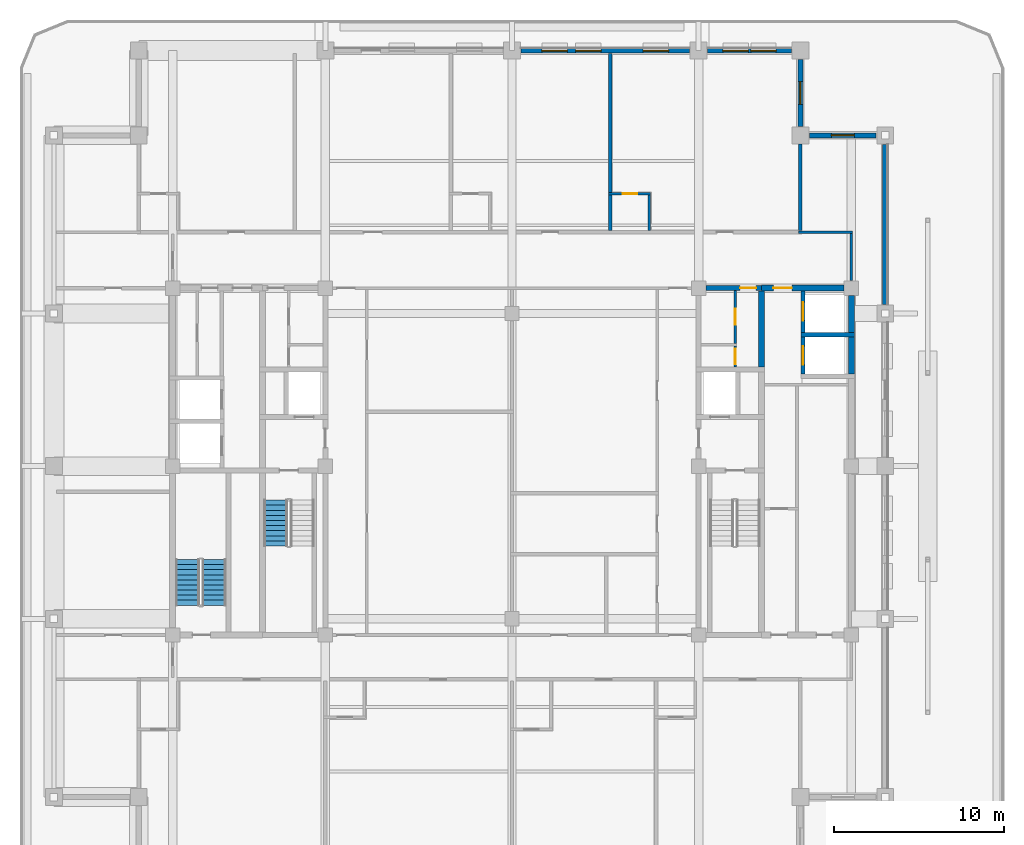
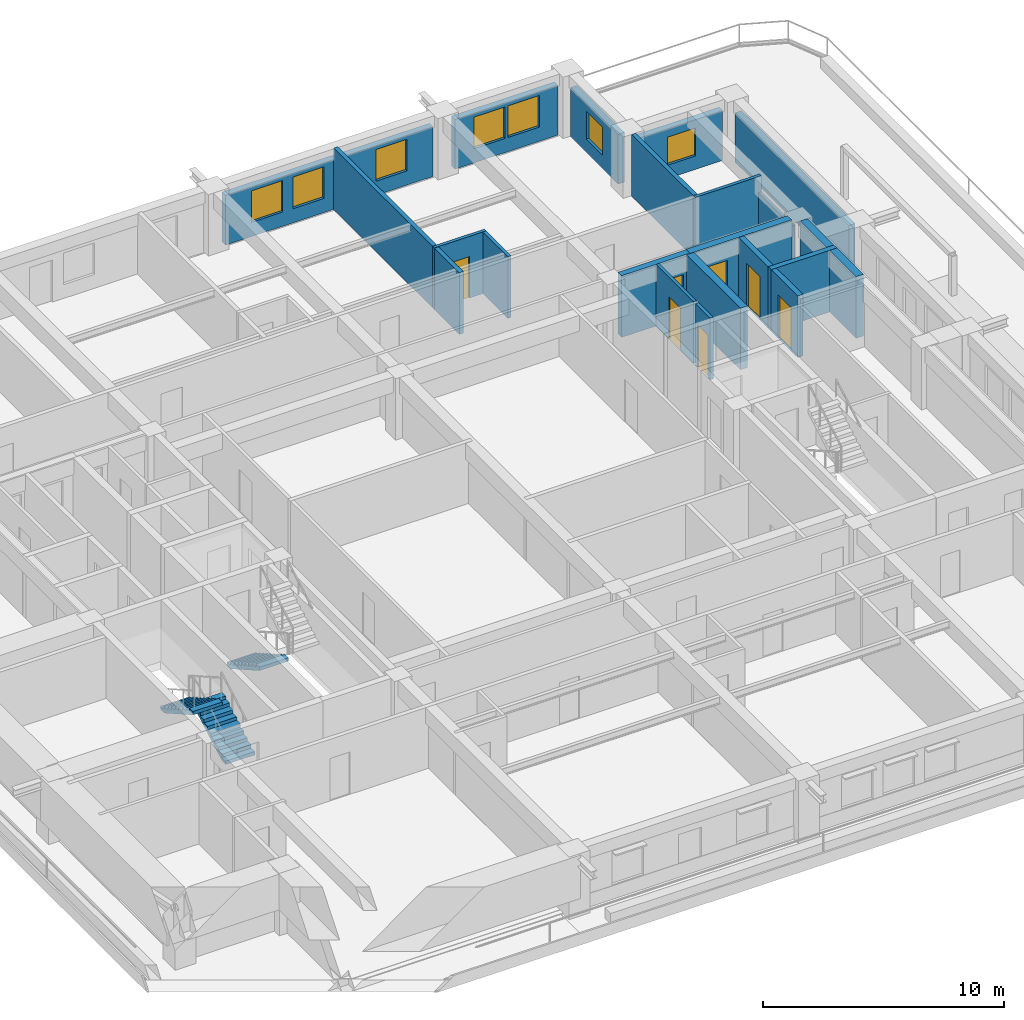
# One storey, part 10 of 18: 22 walls, 7 doors, 7 windows, 3 stair flights, 14 openings, 2 elements without a shape of their own.
"""IFC4 building model written with IfcOpenShell, lengths in metres."""

import ifcopenshell
import ifcopenshell.guid

model = None  # the IFC model being written
_history = None  # IfcOwnerHistory: only IFC2X3 demands one
_inside = {}  # id of a spatial element -> (the spatial element, [elements in it])
_under = {}  # id of a project, library or spatial element -> (it, [spatial elements below it])
_declared = {}  # id of a project -> (the project, [libraries it declares])
_typed = {}  # id of a type object -> (the type object, [elements of that type])
_made_of = {}  # id of a material, layer set ... -> (it, [elements and type objects made of it])


def new_model(schema):
    """Start an empty IFC model of exactly this schema.

    Asked for "IFC4X3", IfcOpenShell would pick the latest addendum, in which some entities
    have other attributes; the version numbers below select the first issue.
    IFC2X3 requires an IfcOwnerHistory on every rooted entity: one is made here for all.
    """
    global model, _history
    if schema == "IFC4X3":
        model = ifcopenshell.file(schema_version=(4, 3, 0, 0))
    else:
        model = ifcopenshell.file(schema=schema)
    _inside.clear()
    _under.clear()
    _declared.clear()
    _typed.clear()
    _made_of.clear()
    _history = None
    if model.schema == "IFC2X3":
        org = make("IfcOrganization", Name="unknown")
        user = make(
            "IfcPersonAndOrganization",
            ThePerson=make("IfcPerson", FamilyName="unknown"),
            TheOrganization=org,
        )
        app = make(
            "IfcApplication",
            ApplicationDeveloper=org,
            Version="unknown",
            ApplicationFullName="unknown",
            ApplicationIdentifier="unknown",
        )
        _history = make(
            "IfcOwnerHistory",
            OwningUser=user,
            OwningApplication=app,
            ChangeAction="ADDED",
            CreationDate=0,
        )
    return model


def make(cls, **values):
    """One entity of the class cls with the attributes given. An attribute that is None is left unset."""
    return model.create_entity(
        cls, **{name: value for name, value in values.items() if value is not None}
    )


def rooted(cls, **values):
    """An entity with a GlobalId (a new one), such as an element, a storey or a relation."""
    return make(cls, GlobalId=ifcopenshell.guid.new(), OwnerHistory=_history, **values)


def si_unit(unit_type, name, prefix=None):
    """IfcSIUnit, for example si_unit("LENGTHUNIT", "METRE", prefix="MILLI")."""
    return make("IfcSIUnit", UnitType=unit_type, Prefix=prefix, Name=name)


def assignment(units):
    """IfcUnitAssignment: the units of a project."""
    return None if units is None else make("IfcUnitAssignment", Units=units)


def point(xyz):
    """IfcCartesianPoint."""
    return None if xyz is None else make("IfcCartesianPoint", Coordinates=xyz)


def direction(xyz):
    """IfcDirection."""
    return None if xyz is None else make("IfcDirection", DirectionRatios=xyz)


def frame(location, z_axis=None, x_axis=None):
    """IfcAxis2Placement3D, a coordinate frame: its origin and axes. An axis left out is left unset."""
    return make(
        "IfcAxis2Placement3D",
        Location=point(location),
        Axis=direction(z_axis),
        RefDirection=direction(x_axis),
    )


def frame_2d(location, x_axis=None):
    """IfcAxis2Placement2D, a coordinate frame in the plane: its origin and x axis."""
    return make(
        "IfcAxis2Placement2D", Location=point(location), RefDirection=direction(x_axis)
    )


def origin():
    """The frame at (0, 0, 0) with its axes left unset."""
    return frame((0.0, 0.0, 0.0))


def place(relative_to, where):
    """IfcLocalPlacement: puts the frame where relative to a parent placement (None: the world)."""
    return make(
        "IfcLocalPlacement", PlacementRelTo=relative_to, RelativePlacement=where
    )


def context(
    kind, dimensions, precision=None, world=None, true_north=None, identifier=None
):
    """IfcGeometricRepresentationContext, for example the 3D "Model" context."""
    return make(
        "IfcGeometricRepresentationContext",
        ContextIdentifier=identifier,
        ContextType=kind,
        CoordinateSpaceDimension=dimensions,
        Precision=precision,
        WorldCoordinateSystem=world,
        TrueNorth=true_north,
    )


def subcontext(parent, identifier, kind, view, scale=None):
    """IfcGeometricRepresentationSubContext, for example "Body" below "Model"."""
    return make(
        "IfcGeometricRepresentationSubContext",
        ContextIdentifier=identifier,
        ContextType=kind,
        ParentContext=parent,
        TargetScale=scale,
        TargetView=view,
    )


def project(units=None, contexts=None):
    """IfcProject with its units and contexts."""
    return rooted(
        "IfcProject",
        Name="project",
        RepresentationContexts=contexts,
        UnitsInContext=assignment(units),
    )


def spatial(cls, under=None, at=None, **own):
    """A site, building, storey or space (cls), placed at a placement, below another one or the project."""
    s = rooted(cls, ObjectPlacement=at, **own)
    if under is not None:
        _under.setdefault(under.id(), (under, []))[1].append(s)
    return s


def polyline(points):
    """IfcPolyline through the points."""
    return make("IfcPolyline", Points=[point(p) for p in points])


def profile(cls, at=None, kind="AREA", **sizes):
    """A parametric profile (cls). Its sizes go by their IFC names, for example OverallWidth=200.0."""
    return make(cls, ProfileType=kind, Position=at, **sizes)


def rectangle(**sizes):
    """IfcRectangleProfileDef."""
    return profile("IfcRectangleProfileDef", **sizes)


def outline(outer, holes=None, kind="AREA"):
    """IfcArbitraryClosedProfileDef: a profile drawn as a closed curve; with holes, ...WithVoids."""
    if holes is None:
        return make("IfcArbitraryClosedProfileDef", ProfileType=kind, OuterCurve=outer)
    return make(
        "IfcArbitraryProfileDefWithVoids",
        ProfileType=kind,
        OuterCurve=outer,
        InnerCurves=holes,
    )


def extrude(swept, where, along, depth):
    """IfcExtrudedAreaSolid: the profile swept, set in the frame where, extruded along a direction by depth."""
    return make(
        "IfcExtrudedAreaSolid",
        SweptArea=swept,
        Position=where,
        ExtrudedDirection=direction(along),
        Depth=depth,
    )


def shape(context_of_items, identifier, shape_type, items):
    """IfcShapeRepresentation: the items that make up one representation, for example the "Body"."""
    return make(
        "IfcShapeRepresentation",
        ContextOfItems=context_of_items,
        RepresentationIdentifier=identifier,
        RepresentationType=shape_type,
        Items=items,
    )


def material(Name=None, Category=None):
    """IfcMaterial."""
    return make("IfcMaterial", Name=Name, Category=Category)


def layer(
    of_material, thickness, ventilated=None, Name=None, Category=None, Priority=None
):
    """IfcMaterialLayer: one layer of a wall or slab, of a material (None: an air gap)."""
    return make(
        "IfcMaterialLayer",
        Material=of_material,
        LayerThickness=thickness,
        IsVentilated=ventilated,
        Name=Name,
        Category=Category,
        Priority=Priority,
    )


def layer_set(layers, Name=None):
    """IfcMaterialLayerSet."""
    return make("IfcMaterialLayerSet", MaterialLayers=layers, LayerSetName=Name)


def made_of(thing, what):
    """Note that an element or type object is made of a material, layer set ...; save() writes the relation."""
    if what is not None:
        _made_of.setdefault(what.id(), (what, []))[1].append(thing)
    return thing


def type_object(cls, material=None, **own):
    """A type object (cls), such as IfcWallType, which elements share."""
    return made_of(rooted(cls, **own), material)


def element(
    cls,
    number,
    at=None,
    inside=None,
    cuts=None,
    type_object=None,
    material=None,
    context=None,
    identifier="Body",
    shape_type=None,
    held_by="IfcProductDefinitionShape",
    body=None,
    shapes=None,
    **own,
):
    """One element of the class cls, such as IfcWall. Its Tag is "e" and its number.

    at: its placement. inside: the storey or other place that contains it. cuts: it is an
    opening in that element (IfcRelVoidsElement). A single representation is given by context,
    identifier, shape_type and body (its items); several are given by shapes. held_by: the class
    of the entity that holds the representations. save() writes the other relations.
    """
    e = rooted(cls, Tag="e%d" % number, ObjectPlacement=at, **own)
    if body is not None:
        shapes = [shape(context, identifier, shape_type, body)]
    if shapes is not None:
        e.Representation = make(held_by, Representations=shapes)
    if inside is not None:
        _inside.setdefault(inside.id(), (inside, []))[1].append(e)
    if cuts is not None:
        rooted(
            "IfcRelVoidsElement", RelatingBuildingElement=cuts, RelatedOpeningElement=e
        )
    if type_object is not None:
        _typed.setdefault(type_object.id(), (type_object, []))[1].append(e)
    return made_of(e, material)


def fill(opening, filler):
    """IfcRelFillsElement: the door or window that sits in an opening."""
    return rooted(
        "IfcRelFillsElement",
        RelatingOpeningElement=opening,
        RelatedBuildingElement=filler,
    )


def aggregate(whole, parts):
    """IfcRelAggregates: a whole, such as a stair, and the parts it consists of."""
    return rooted("IfcRelAggregates", RelatingObject=whole, RelatedObjects=parts)


def save(model, path):
    """Write the relations noted so far, then the file.

    IfcRelAggregates (storeys below a building ...), IfcRelContainedInSpatialStructure (elements
    in a storey), IfcRelDefinesByType, IfcRelAssociatesMaterial and IfcRelDeclares: one each for
    every whole, place, type object, material and project.
    """
    for whole, parts in _under.values():
        aggregate(whole, parts)
    for where, things in _inside.values():
        rooted(
            "IfcRelContainedInSpatialStructure",
            RelatedElements=things,
            RelatingStructure=where,
        )
    for kind, things in _typed.values():
        rooted("IfcRelDefinesByType", RelatedObjects=things, RelatingType=kind)
    for what, things in _made_of.values():
        rooted("IfcRelAssociatesMaterial", RelatedObjects=things, RelatingMaterial=what)
    for by, libraries in _declared.values():
        rooted("IfcRelDeclares", RelatingContext=by, RelatedDefinitions=libraries)
    model.write(path)


model = new_model("IFC4")

# Units and contexts
model_context = context("Model", 3, precision=1e-05, world=origin(), true_north=direction((0.0, 1.0)))
body_context = subcontext(model_context, "Body", "Model", "MODEL_VIEW")
ifc_project = project(units=[si_unit("LENGTHUNIT", "METRE"), si_unit("AREAUNIT", "SQUARE_METRE"), si_unit("VOLUMEUNIT", "CUBIC_METRE"), si_unit("PLANEANGLEUNIT", "RADIAN"), si_unit("MASSUNIT", "GRAM", prefix="KILO")], contexts=[model_context])

# Site, building, storey
site_placement = place(None, origin())
site = spatial("IfcSite", under=ifc_project, at=site_placement, CompositionType="ELEMENT")
building_placement = place(site_placement, origin())
building = spatial("IfcBuilding", under=site, at=building_placement, Name="Zulmaris Gate Convention Tower", CompositionType="ELEMENT")
storey_placement = place(building_placement, frame((0.0, 0.0, 191.4599609375)))
storey = spatial("IfcBuildingStorey", under=building, at=storey_placement, Name="L49", CompositionType="ELEMENT", Elevation=191.4599609375)

# Wall
ifc_material_1 = material(Name="Concrete C50/60", Category="concrete")
ifc_layer_1 = layer(ifc_material_1, 0.25, Name="Concrete C50/60")
ifc_layer_set_1 = layer_set([ifc_layer_1], Name="Concrete C50/60")
wall_type_1 = type_object("IfcWallType", Name="CORE-250", PredefinedType="SOLIDWALL", material=ifc_layer_set_1)
wall_1_placement = place(storey_placement, frame((17.02490234375, 7.75, 0.0), z_axis=(0.0, 0.0, 1.0), x_axis=(1.0, 0.0, 0.0)))
element("IfcWall", 1, at=wall_1_placement, inside=storey, type_object=wall_type_1, Name="WL-L49-014", PredefinedType="SOLIDWALL", context=body_context, shape_type="SweptSolid", body=[
    extrude(rectangle(XDim=3.150146484375, YDim=0.25, at=frame_2d((1.5751953125, 0.0))), origin(), (0.0, 0.0, 1.0), 3.125),
])

# Wall, opening, door
wall_2_placement = place(storey_placement, frame((17.14990234375, 5.427001953125, 0.0), z_axis=(0.0, 0.0, 1.0), x_axis=(0.0, 1.0, 0.0)))
wall_2 = element("IfcWall", 2, at=wall_2_placement, inside=storey, type_object=wall_type_1, Name="WL-L49-071", PredefinedType="SOLIDWALL", context=body_context, shape_type="SweptSolid", body=[
    extrude(rectangle(XDim=2.196044921875, YDim=0.25, at=frame_2d((1.09814453125, 0.0))), origin(), (0.0, 0.0, 1.0), 3.125),
])
opening_1_placement = place(wall_2_placement, frame((0.548095703125, 0.0, 0.0)))
opening_1 = element("IfcOpeningElement", 3, at=opening_1_placement, cuts=wall_2, Name="Opening D-06", PredefinedType="OPENING", context=body_context, shape_type="SweptSolid", body=[
    extrude(rectangle(XDim=1.10009765625, YDim=2.199951171875, at=frame_2d((0.550048828125, 1.10009765625))), frame((0.0, 0.135009765625, 0.0), z_axis=(0.0, -1.0, 0.0), x_axis=(1.0, 0.0, 0.0)), (0.0, 0.0, 1.0), 0.27001953125),
])
ifc_material_2 = material(Name="Brushed Stainless Steel", Category="steel")
door_type_1 = type_object("IfcDoorType", Name="LD-1100", OperationType="NOTDEFINED", PredefinedType="DOOR", material=ifc_material_2)
door_1_placement = place(opening_1_placement, origin())
door_1 = element("IfcDoor", 4, at=door_1_placement, inside=storey, type_object=door_type_1, Name="L49 Lift Landing Door HP-01 19", OperationType="SLIDING_TO_RIGHT", OverallHeight=2.199951171875, OverallWidth=1.10009765625, PredefinedType="DOOR", context=body_context, shape_type="SweptSolid", body=[
    extrude(rectangle(XDim=1.10009765625, YDim=2.199951171875, at=frame_2d((0.550048828125, 1.10009765625))), frame((0.0, 0.02490234375, 0.0), z_axis=(0.0, -1.0, 0.0), x_axis=(1.0, 0.0, 0.0)), (0.0, 0.0, 1.0), 0.050048828125),
])
fill(opening_1, door_1)

wall_3_placement = place(storey_placement, frame((17.14990234375, 7.876953125, 0.0), z_axis=(0.0, 0.0, 1.0), x_axis=(0.0, 1.0, 0.0)))
wall_3 = element("IfcWall", 5, at=wall_3_placement, inside=storey, type_object=wall_type_1, Name="WL-L49-072", PredefinedType="SOLIDWALL", context=body_context, shape_type="SweptSolid", body=[
    extrude(rectangle(XDim=2.446044921875, YDim=0.25, at=frame_2d((1.22314453125, 0.0))), origin(), (0.0, 0.0, 1.0), 3.125),
])
opening_2_placement = place(wall_3_placement, frame((0.697998046875, 0.0, 0.0)))
opening_2 = element("IfcOpeningElement", 6, at=opening_2_placement, cuts=wall_3, Name="Opening D-06", PredefinedType="OPENING", context=body_context, shape_type="SweptSolid", body=[
    extrude(rectangle(XDim=1.10009765625, YDim=2.199951171875, at=frame_2d((0.550048828125, 1.10009765625))), frame((0.0, 0.135009765625, 0.0), z_axis=(0.0, -1.0, 0.0), x_axis=(1.0, 0.0, 0.0)), (0.0, 0.0, 1.0), 0.27001953125),
])
door_2_placement = place(opening_2_placement, origin())
door_2 = element("IfcDoor", 7, at=door_2_placement, inside=storey, type_object=door_type_1, Name="L49 Lift Landing Door HP-02 20", OperationType="SLIDING_TO_RIGHT", OverallHeight=2.199951171875, OverallWidth=1.10009765625, PredefinedType="DOOR", context=body_context, shape_type="SweptSolid", body=[
    extrude(rectangle(XDim=1.10009765625, YDim=2.199951171875, at=frame_2d((0.550048828125, 1.10009765625))), frame((0.0, 0.02490234375, 0.0), z_axis=(0.0, -1.0, 0.0), x_axis=(1.0, 0.0, 0.0)), (0.0, 0.0, 1.0), 0.050048828125),
])
fill(opening_2, door_2)

ifc_layer_2 = layer(ifc_material_1, 0.300048828125, Name="Concrete C50/60")
ifc_layer_set_2 = layer_set([ifc_layer_2], Name="Concrete C50/60")
wall_type_2 = type_object("IfcWallType", Name="CORE-300", PredefinedType="SHEAR", material=ifc_layer_set_2)
wall_4_placement = place(storey_placement, frame((11.428955078125, 10.5, 0.0), z_axis=(0.0, 0.0, 1.0), x_axis=(1.0, 0.0, 0.0)))
wall_4 = element("IfcWall", 8, at=wall_4_placement, inside=storey, type_object=wall_type_2, Name="WL-L49-017", PredefinedType="SHEAR", context=body_context, shape_type="SweptSolid", body=[
    extrude(rectangle(XDim=3.27099609375, YDim=0.300048828125, at=frame_2d((1.635498046875, 0.0))), origin(), (0.0, 0.0, 1.0), 3.125),
])
opening_3_placement = place(wall_4_placement, frame((2.01611328125, 0.0, 0.0)))
opening_3 = element("IfcOpeningElement", 9, at=opening_3_placement, cuts=wall_4, Name="Opening D-11", PredefinedType="OPENING", context=body_context, shape_type="SweptSolid", body=[
    extrude(rectangle(XDim=0.949951171875, YDim=2.14990234375, at=frame_2d((0.47509765625, 1.074951171875))), frame((0.0, 0.16015625, 0.0), z_axis=(0.0, -1.0, 0.0), x_axis=(1.0, 0.0, 0.0)), (0.0, 0.0, 1.0), 0.320068359375),
])
ifc_material_3 = material(Name="Fire-Rated Timber", Category="wood")
door_type_2 = type_object("IfcDoorType", Name="DR-950-FD", OperationType="NOTDEFINED", PredefinedType="DOOR", material=ifc_material_3)
door_3_placement = place(opening_3_placement, origin())
door_3 = element("IfcDoor", 10, at=door_3_placement, inside=storey, type_object=door_type_2, Name="L49 Core East Passage Door 10", OperationType="SINGLE_SWING_RIGHT", OverallHeight=2.14990234375, OverallWidth=0.949951171875, PredefinedType="DOOR", context=body_context, shape_type="SweptSolid", body=[
    extrude(rectangle(XDim=0.949951171875, YDim=2.14990234375, at=frame_2d((0.47509765625, 1.074951171875))), frame((0.0, 0.02490234375, 0.0), z_axis=(0.0, -1.0, 0.0), x_axis=(1.0, 0.0, 0.0)), (0.0, 0.0, 1.0), 0.050048828125),
])
fill(opening_3, door_3)

ifc_material_4 = material(Name="Concrete C55/67", Category="concrete")
ifc_layer_3 = layer(ifc_material_4, 0.35009765625, Name="Concrete C55/67")
ifc_layer_set_3 = layer_set([ifc_layer_3], Name="Concrete C55/67")
wall_type_3 = type_object("IfcWallType", Name="CORE-350", PredefinedType="SHEAR", material=ifc_layer_set_3)
wall_5_placement = place(storey_placement, frame((14.699951171875, 10.5, 0.0), z_axis=(0.0, 0.0, 1.0), x_axis=(1.0, 0.0, 0.0)))
wall_5 = element("IfcWall", 11, at=wall_5_placement, inside=storey, type_object=wall_type_3, Name="WL-L49-018", PredefinedType="SHEAR", context=body_context, shape_type="SweptSolid", body=[
    extrude(rectangle(XDim=4.87109375, YDim=0.35009765625, at=frame_2d((2.435546875, 0.0))), origin(), (0.0, 0.0, 1.0), 3.125),
])
opening_4_placement = place(wall_5_placement, frame((0.699951171875, 0.0, 0.0)))
opening_4 = element("IfcOpeningElement", 12, at=opening_4_placement, cuts=wall_5, Name="Opening D-08", PredefinedType="OPENING", context=body_context, shape_type="SweptSolid", body=[
    extrude(rectangle(XDim=1.10009765625, YDim=2.14990234375, at=frame_2d((0.550048828125, 1.074951171875))), frame((0.0, 0.18505859375, 0.0), z_axis=(0.0, -1.0, 0.0), x_axis=(1.0, 0.0, 0.0)), (0.0, 0.0, 1.0), 0.3701171875),
])
ifc_material_5 = material(Name="Fire-Rated Steel", Category="steel")
door_type_3 = type_object("IfcDoorType", Name="DR-1100-FD", OperationType="NOTDEFINED", PredefinedType="DOOR", material=ifc_material_5)
door_4_placement = place(opening_4_placement, origin())
door_4 = element("IfcDoor", 13, at=door_4_placement, inside=storey, type_object=door_type_3, Name="L49 High-Rise East Lift Lobby Door 21", OperationType="SINGLE_SWING_LEFT", OverallHeight=2.14990234375, OverallWidth=1.10009765625, PredefinedType="DOOR", context=body_context, shape_type="SweptSolid", body=[
    extrude(rectangle(XDim=1.10009765625, YDim=2.14990234375, at=frame_2d((0.550048828125, 1.074951171875))), frame((0.0, 0.02490234375, 0.0), z_axis=(0.0, -1.0, 0.0), x_axis=(1.0, 0.0, 0.0)), (0.0, 0.0, 1.0), 0.050048828125),
])
fill(opening_4, door_4)

# Walls
wall_6_placement = place(storey_placement, frame((14.699951171875, 5.85205078125, 0.0), z_axis=(0.0, 0.0, 1.0), x_axis=(0.0, 1.0, 0.0)))
element("IfcWall", 14, at=wall_6_placement, inside=storey, type_object=wall_type_3, Name="WL-L49-070", PredefinedType="SHEAR", context=body_context, shape_type="SweptSolid", body=[
    extrude(rectangle(XDim=4.470947265625, YDim=0.35009765625, at=frame_2d((2.2353515625, 0.0))), origin(), (0.0, 0.0, 1.0), 3.125),
])
wall_7_placement = place(storey_placement, frame((20.0, 5.427001953125, 0.0), z_axis=(0.0, 0.0, 1.0), x_axis=(0.0, 1.0, 0.0)))
element("IfcWall", 15, at=wall_7_placement, inside=storey, type_object=wall_type_3, Name="WL-L49-074", PredefinedType="SHEAR", context=body_context, shape_type="SweptSolid", body=[
    extrude(rectangle(XDim=2.196044921875, YDim=0.35009765625, at=frame_2d((1.09814453125, 0.0))), origin(), (0.0, 0.0, 1.0), 3.125),
])
wall_8_placement = place(storey_placement, frame((20.0, 7.876953125, 0.0), z_axis=(0.0, 0.0, 1.0), x_axis=(0.0, 1.0, 0.0)))
element("IfcWall", 16, at=wall_8_placement, inside=storey, type_object=wall_type_3, Name="WL-L49-075", PredefinedType="SHEAR", context=body_context, shape_type="SweptSolid", body=[
    extrude(rectangle(XDim=2.194091796875, YDim=0.35009765625, at=frame_2d((1.09716796875, 0.0))), origin(), (0.0, 0.0, 1.0), 3.125),
])
ifc_material_6 = material(Name="Gypsum Metal Stud Partition")
ifc_layer_4 = layer(ifc_material_6, 0.14990234375, Name="Gypsum Metal Stud Partition")
ifc_layer_set_4 = layer_set([ifc_layer_4], Name="Gypsum Metal Stud Partition")
wall_type_4 = type_object("IfcWallType", Name="PART-150", PredefinedType="PARTITIONING", material=ifc_layer_set_4)
wall_9_placement = place(storey_placement, frame((16.89990234375, 13.800048828125, 0.0), z_axis=(0.0, 0.0, 1.0), x_axis=(1.0, 0.0, 0.0)))
element("IfcWall", 17, at=wall_9_placement, inside=storey, type_object=wall_type_4, Name="WL-L49-040", PredefinedType="PARTITIONING", context=body_context, shape_type="SweptSolid", body=[
    extrude(rectangle(XDim=3.175048828125, YDim=0.14990234375, at=frame_2d((1.58740234375, 0.0))), origin(), (0.0, 0.0, 1.0), 3.125),
])

# Wall, opening, door
wall_10_placement = place(storey_placement, frame((5.699951171875, 16.050048828125, 0.0), z_axis=(0.0, 0.0, 1.0), x_axis=(1.0, 0.0, 0.0)))
wall_10 = element("IfcWall", 18, at=wall_10_placement, inside=storey, type_object=wall_type_4, Name="WL-L49-043", PredefinedType="PARTITIONING", context=body_context, shape_type="SweptSolid", body=[
    extrude(rectangle(XDim=2.47509765625, YDim=0.14990234375, at=frame_2d((1.237548828125, 0.0))), origin(), (0.0, 0.0, 1.0), 3.125),
])
opening_5_placement = place(wall_10_placement, frame((0.824951171875, 0.0, 0.0)))
opening_5 = element("IfcOpeningElement", 19, at=opening_5_placement, cuts=wall_10, Name="Opening D-17", PredefinedType="OPENING", context=body_context, shape_type="SweptSolid", body=[
    extrude(rectangle(XDim=0.85009765625, YDim=2.10009765625, at=frame_2d((0.425048828125, 1.050048828125))), frame((0.0, 0.0849609375, 0.0), z_axis=(0.0, -1.0, 0.0), x_axis=(1.0, 0.0, 0.0)), (0.0, 0.0, 1.0), 0.169921875),
])
ifc_material_7 = material(Name="Moisture-Resistant Hardwood Timber", Category="wood")
door_type_4 = type_object("IfcDoorType", Name="DR-850", OperationType="NOTDEFINED", PredefinedType="DOOR", material=ifc_material_7)
door_5_placement = place(opening_5_placement, origin())
door_5 = element("IfcDoor", 20, at=door_5_placement, inside=storey, type_object=door_type_4, Name="L49 En-Suite Door 35", OperationType="SINGLE_SWING_LEFT", OverallHeight=2.10009765625, OverallWidth=0.85009765625, PredefinedType="DOOR", context=body_context, shape_type="SweptSolid", body=[
    extrude(rectangle(XDim=0.85009765625, YDim=2.10009765625, at=frame_2d((0.425048828125, 1.050048828125))), frame((0.0, 0.02490234375, 0.0), z_axis=(0.0, -1.0, 0.0), x_axis=(1.0, 0.0, 0.0)), (0.0, 0.0, 1.0), 0.050048828125),
])
fill(opening_5, door_5)

# Wall
wall_11_placement = place(storey_placement, frame((8.10009765625, 13.903076171875, 0.0), z_axis=(0.0, 0.0, 1.0), x_axis=(0.0, 1.0, 0.0)))
element("IfcWall", 21, at=wall_11_placement, inside=storey, type_object=wall_type_4, Name="WL-L49-107", PredefinedType="PARTITIONING", context=body_context, shape_type="SweptSolid", body=[
    extrude(rectangle(XDim=2.06884765625, YDim=0.14990234375, at=frame_2d((1.034423828125, 0.0))), origin(), (0.0, 0.0, 1.0), 3.125),
])

# Wall, opening, door
wall_12_placement = place(storey_placement, frame((13.14990234375, 5.85302734375, 0.0), z_axis=(0.0, 0.0, 1.0), x_axis=(0.0, 1.0, 0.0)))
wall_12 = element("IfcWall", 22, at=wall_12_placement, inside=storey, type_object=wall_type_4, Name="WL-L49-114", PredefinedType="PARTITIONING", context=body_context, shape_type="SweptSolid", body=[
    extrude(rectangle(XDim=1.218994140625, YDim=0.14990234375, at=frame_2d((0.609375, 0.0))), origin(), (0.0, 0.0, 1.0), 3.125),
])
opening_6_placement = place(wall_12_placement, frame((0.1689453125, 0.0, 0.0)))
opening_6 = element("IfcOpeningElement", 23, at=opening_6_placement, cuts=wall_12, Name="Opening D-12", PredefinedType="OPENING", context=body_context, shape_type="SweptSolid", body=[
    extrude(rectangle(XDim=0.89990234375, YDim=2.14990234375, at=frame_2d((0.449951171875, 1.074951171875))), frame((0.0, 0.0849609375, 0.0), z_axis=(0.0, -1.0, 0.0), x_axis=(1.0, 0.0, 0.0)), (0.0, 0.0, 1.0), 0.169921875),
])
door_type_5 = type_object("IfcDoorType", Name="DR-900-FD", OperationType="NOTDEFINED", PredefinedType="DOOR", material=ifc_material_3)
door_6_placement = place(opening_6_placement, origin())
door_6 = element("IfcDoor", 24, at=door_6_placement, inside=storey, type_object=door_type_5, Name="L49 Core Staff WC Door 11", OperationType="SINGLE_SWING_LEFT", OverallHeight=2.14990234375, OverallWidth=0.89990234375, PredefinedType="DOOR", context=body_context, shape_type="SweptSolid", body=[
    extrude(rectangle(XDim=0.89990234375, YDim=2.14990234375, at=frame_2d((0.449951171875, 1.074951171875))), frame((0.0, 0.02490234375, 0.0), z_axis=(0.0, -1.0, 0.0), x_axis=(1.0, 0.0, 0.0)), (0.0, 0.0, 1.0), 0.050048828125),
])
fill(opening_6, door_6)

wall_13_placement = place(storey_placement, frame((13.14990234375, 7.22802734375, 0.0), z_axis=(0.0, 0.0, 1.0), x_axis=(0.0, 1.0, 0.0)))
wall_13 = element("IfcWall", 25, at=wall_13_placement, inside=storey, type_object=wall_type_4, Name="WL-L49-115", PredefinedType="PARTITIONING", context=body_context, shape_type="SweptSolid", body=[
    extrude(rectangle(XDim=3.118896484375, YDim=0.14990234375, at=frame_2d((1.5595703125, 0.0))), origin(), (0.0, 0.0, 1.0), 3.125),
])
opening_7_placement = place(wall_13_placement, frame((1.096923828125, 0.0, 0.0)))
opening_7 = element("IfcOpeningElement", 26, at=opening_7_placement, cuts=wall_13, Name="Opening D-11", PredefinedType="OPENING", context=body_context, shape_type="SweptSolid", body=[
    extrude(rectangle(XDim=0.949951171875, YDim=2.14990234375, at=frame_2d((0.47509765625, 1.074951171875))), frame((0.0, 0.0849609375, 0.0), z_axis=(0.0, -1.0, 0.0), x_axis=(1.0, 0.0, 0.0)), (0.0, 0.0, 1.0), 0.169921875),
])
door_7_placement = place(opening_7_placement, origin())
door_7 = element("IfcDoor", 27, at=door_7_placement, inside=storey, type_object=door_type_2, Name="L49 Core Hygiene Store Door 12", OperationType="SINGLE_SWING_RIGHT", OverallHeight=2.14990234375, OverallWidth=0.949951171875, PredefinedType="DOOR", context=body_context, shape_type="SweptSolid", body=[
    extrude(rectangle(XDim=0.949951171875, YDim=2.14990234375, at=frame_2d((0.47509765625, 1.074951171875))), frame((0.0, 0.02490234375, 0.0), z_axis=(0.0, -1.0, 0.0), x_axis=(1.0, 0.0, 0.0)), (0.0, 0.0, 1.0), 0.050048828125),
])
fill(opening_7, door_7)

# Walls
wall_14_placement = place(storey_placement, frame((20.0, 10.930908203125, 0.0), z_axis=(0.0, 0.0, 1.0), x_axis=(0.0, 1.0, 0.0)))
element("IfcWall", 28, at=wall_14_placement, inside=storey, type_object=wall_type_4, Name="WL-L49-121", PredefinedType="PARTITIONING", context=body_context, shape_type="SweptSolid", body=[
    extrude(rectangle(XDim=2.791015625, YDim=0.14990234375, at=frame_2d((1.3955078125, 0.0))), origin(), (0.0, 0.0, 1.0), 2.31689453125),
])
ifc_material_8 = material(Name="Autoclaved Aerated Concrete Block and Plasterboard", Category="concrete")
ifc_layer_5 = layer(ifc_material_8, 0.199951171875, Name="Autoclaved Aerated Concrete Block and Plasterboard")
ifc_layer_set_5 = layer_set([ifc_layer_5], Name="Autoclaved Aerated Concrete Block and Plasterboard")
wall_type_5 = type_object("IfcWallType", Name="PART-200", PredefinedType="PARTITIONING", material=ifc_layer_set_5)
wall_15_placement = place(storey_placement, frame((5.800048828125, 13.903076171875, 0.0), z_axis=(0.0, 0.0, 1.0), x_axis=(0.0, 1.0, 0.0)))
element("IfcWall", 29, at=wall_15_placement, inside=storey, type_object=wall_type_5, Name="WL-L49-105", PredefinedType="PARTITIONING", context=body_context, shape_type="SweptSolid", body=[
    extrude(rectangle(XDim=2.06884765625, YDim=0.199951171875, at=frame_2d((1.034423828125, 0.0))), origin(), (0.0, 0.0, 1.0), 3.125),
])
wall_16_placement = place(storey_placement, frame((5.800048828125, 16.1279296875, 0.0), z_axis=(0.0, 0.0, 1.0), x_axis=(0.0, 1.0, 0.0)))
element("IfcWall", 30, at=wall_16_placement, inside=storey, type_object=wall_type_5, Name="WL-L49-106", PredefinedType="PARTITIONING", context=body_context, shape_type="SweptSolid", body=[
    extrude(rectangle(XDim=8.20703125, YDim=0.199951171875, at=frame_2d((4.103515625, 0.0))), origin(), (0.0, 0.0, 1.0), 3.125),
])
wall_17_placement = place(storey_placement, frame((17.0, 13.903076171875, 0.0), z_axis=(0.0, 0.0, 1.0), x_axis=(0.0, 1.0, 0.0)))
element("IfcWall", 31, at=wall_17_placement, inside=storey, type_object=wall_type_5, Name="WL-L49-119", PredefinedType="PARTITIONING", context=body_context, shape_type="SweptSolid", body=[
    extrude(rectangle(XDim=5.0908203125, YDim=0.199951171875, at=frame_2d((2.54541015625, 0.0))), origin(), (0.0, 0.0, 1.0), 3.125),
])

# Wall, opening, window
ifc_material_9 = material(Name="Precast concrete C40/50", Category="concrete")
ifc_layer_6 = layer(ifc_material_9, 0.300048828125, Name="Precast concrete C40/50")
ifc_layer_set_6 = layer_set([ifc_layer_6], Name="Precast concrete C40/50")
wall_type_6 = type_object("IfcWallType", Name="PRECAST-PIER-300", PredefinedType="STANDARD", material=ifc_layer_set_6)
wall_18_placement = place(storey_placement, frame((21.469970703125, 19.5, 0.0), z_axis=(0.0, 0.0, 1.0), x_axis=(-1.0, 0.0, 0.0)))
wall_18 = element("IfcWall", 32, at=wall_18_placement, inside=storey, type_object=wall_type_6, Name="EW-L49-NOTCH-NE1_0", PredefinedType="STANDARD", context=body_context, shape_type="SweptSolid", body=[
    extrude(rectangle(XDim=3.93994140625, YDim=0.300048828125, at=frame_2d((1.969970703125, 0.0))), origin(), (0.0, 0.0, 1.0), 2.516845703125),
])
opening_8_placement = place(wall_18_placement, frame((1.294921875, 0.0, 0.679931640625)))
opening_8 = element("IfcOpeningElement", 33, at=opening_8_placement, cuts=wall_18, Name="Opening W-10", PredefinedType="OPENING", context=body_context, shape_type="SweptSolid", body=[
    extrude(rectangle(XDim=1.35009765625, YDim=1.419921875, at=frame_2d((0.675048828125, 0.7099609375))), frame((0.0, 0.16015625, 0.0), z_axis=(0.0, -1.0, 0.0), x_axis=(1.0, 0.0, 0.0)), (0.0, 0.0, 1.0), 0.320068359375),
])
ifc_material_10 = material(Name="Low-E Laminated Double Glazing in Aluminium Frame", Category="aluminium")
window_type_1 = type_object("IfcWindowType", Name="WIN-1350x2000", PartitioningType="SINGLE_PANEL", PredefinedType="WINDOW", material=ifc_material_10)
window_1_placement = place(opening_8_placement, origin())
window_1 = element("IfcWindow", 34, at=window_1_placement, inside=storey, type_object=window_type_1, Name="WN-EW-L49-NOTCH-NE1_0", OverallHeight=1.419921875, OverallWidth=1.35009765625, PartitioningType="SINGLE_PANEL", PredefinedType="WINDOW", context=body_context, shape_type="SweptSolid", body=[
    extrude(rectangle(XDim=1.35009765625, YDim=1.419921875, at=frame_2d((0.675048828125, 0.7099609375))), frame((0.0, 0.030029296875, 0.0), z_axis=(0.0, -1.0, 0.0), x_axis=(1.0, 0.0, 0.0)), (0.0, 0.0, 1.0), 0.06005859375),
])
fill(opening_8, window_1)

wall_19_placement = place(storey_placement, frame((17.0, 20.030029296875, 0.0), z_axis=(0.0, 0.0, 1.0), x_axis=(0.0, 1.0, 0.0)))
wall_19 = element("IfcWall", 35, at=wall_19_placement, inside=storey, type_object=wall_type_6, Name="EW-L49-NOTCH-NE2_0", PredefinedType="STANDARD", context=body_context, shape_type="SweptSolid", body=[
    extrude(rectangle(XDim=3.93994140625, YDim=0.300048828125, at=frame_2d((1.969970703125, 0.0))), origin(), (0.0, 0.0, 1.0), 2.516845703125),
])
opening_9_placement = place(wall_19_placement, frame((1.294921875, 0.0, 0.679931640625)))
opening_9 = element("IfcOpeningElement", 36, at=opening_9_placement, cuts=wall_19, Name="Opening W-10", PredefinedType="OPENING", context=body_context, shape_type="SweptSolid", body=[
    extrude(rectangle(XDim=1.35009765625, YDim=1.419921875, at=frame_2d((0.675048828125, 0.7099609375))), frame((0.0, 0.16015625, 0.0), z_axis=(0.0, -1.0, 0.0), x_axis=(1.0, 0.0, 0.0)), (0.0, 0.0, 1.0), 0.320068359375),
])
window_2_placement = place(opening_9_placement, origin())
window_2 = element("IfcWindow", 37, at=window_2_placement, inside=storey, type_object=window_type_1, Name="WN-EW-L49-NOTCH-NE2_0", OverallHeight=1.419921875, OverallWidth=1.35009765625, PartitioningType="SINGLE_PANEL", PredefinedType="WINDOW", context=body_context, shape_type="SweptSolid", body=[
    extrude(rectangle(XDim=1.35009765625, YDim=1.419921875, at=frame_2d((0.675048828125, 0.7099609375))), frame((0.0, 0.030029296875, 0.0), z_axis=(0.0, -1.0, 0.0), x_axis=(1.0, 0.0, 0.0)), (0.0, 0.0, 1.0), 0.06005859375),
])
fill(opening_9, window_2)

# Wall, openings, windows
wall_20_placement = place(storey_placement, frame((10.469970703125, 24.5, 0.0), z_axis=(0.0, 0.0, 1.0), x_axis=(-1.0, 0.0, 0.0)))
wall_20 = element("IfcWall", 38, at=wall_20_placement, inside=storey, type_object=wall_type_6, Name="EW-L49-N-2_0", PredefinedType="STANDARD", context=body_context, shape_type="SweptSolid", body=[
    extrude(rectangle(XDim=9.93994140625, YDim=0.300048828125, at=frame_2d((4.969970703125, 0.0))), origin(), (0.0, 0.0, 1.0), 2.516845703125),
])
opening_10_placement = place(wall_20_placement, frame((1.238037109375, 0.0, 0.719970703125)))
opening_10 = element("IfcOpeningElement", 39, at=opening_10_placement, cuts=wall_20, Name="Opening W-03", PredefinedType="OPENING", context=body_context, shape_type="SweptSolid", body=[
    extrude(rectangle(XDim=1.5, YDim=1.60009765625, at=frame_2d((0.75, 0.800048828125))), frame((0.0, 0.16015625, 0.0), z_axis=(0.0, -1.0, 0.0), x_axis=(1.0, 0.0, 0.0)), (0.0, 0.0, 1.0), 0.320068359375),
])
opening_11_placement = place(wall_20_placement, frame((5.214111328125, 0.0, 0.719970703125)))
opening_11 = element("IfcOpeningElement", 40, at=opening_11_placement, cuts=wall_20, Name="Opening W-03", PredefinedType="OPENING", context=body_context, shape_type="SweptSolid", body=[
    extrude(rectangle(XDim=1.5, YDim=1.60009765625, at=frame_2d((0.75, 0.800048828125))), frame((0.0, 0.16015625, 0.0), z_axis=(0.0, -1.0, 0.0), x_axis=(1.0, 0.0, 0.0)), (0.0, 0.0, 1.0), 0.320068359375),
])
opening_12_placement = place(wall_20_placement, frame((7.201904296875, 0.0, 0.719970703125)))
opening_12 = element("IfcOpeningElement", 41, at=opening_12_placement, cuts=wall_20, Name="Opening W-03", PredefinedType="OPENING", context=body_context, shape_type="SweptSolid", body=[
    extrude(rectangle(XDim=1.5, YDim=1.60009765625, at=frame_2d((0.75, 0.800048828125))), frame((0.0, 0.16015625, 0.0), z_axis=(0.0, -1.0, 0.0), x_axis=(1.0, 0.0, 0.0)), (0.0, 0.0, 1.0), 0.320068359375),
])
window_type_2 = type_object("IfcWindowType", Name="WIN-1500x2100", PartitioningType="SINGLE_PANEL", PredefinedType="WINDOW", material=ifc_material_10)
window_3_placement = place(opening_10_placement, origin())
window_3 = element("IfcWindow", 42, at=window_3_placement, inside=storey, type_object=window_type_2, Name="WN-EW-L49-N-2_0-1", OverallHeight=1.60009765625, OverallWidth=1.5, PartitioningType="SINGLE_PANEL", PredefinedType="WINDOW", context=body_context, shape_type="SweptSolid", body=[
    extrude(rectangle(XDim=1.5, YDim=1.60009765625, at=frame_2d((0.75, 0.800048828125))), frame((0.0, 0.030029296875, 0.0), z_axis=(0.0, -1.0, 0.0), x_axis=(1.0, 0.0, 0.0)), (0.0, 0.0, 1.0), 0.06005859375),
])
fill(opening_10, window_3)
window_4_placement = place(opening_11_placement, origin())
window_4 = element("IfcWindow", 43, at=window_4_placement, inside=storey, type_object=window_type_2, Name="WN-EW-L49-N-2_0-3", OverallHeight=1.60009765625, OverallWidth=1.5, PartitioningType="SINGLE_PANEL", PredefinedType="WINDOW", context=body_context, shape_type="SweptSolid", body=[
    extrude(rectangle(XDim=1.5, YDim=1.60009765625, at=frame_2d((0.75, 0.800048828125))), frame((0.0, 0.030029296875, 0.0), z_axis=(0.0, -1.0, 0.0), x_axis=(1.0, 0.0, 0.0)), (0.0, 0.0, 1.0), 0.06005859375),
])
fill(opening_11, window_4)
window_5_placement = place(opening_12_placement, origin())
window_5 = element("IfcWindow", 44, at=window_5_placement, inside=storey, type_object=window_type_2, Name="WN-EW-L49-N-2_0-4", OverallHeight=1.60009765625, OverallWidth=1.5, PartitioningType="SINGLE_PANEL", PredefinedType="WINDOW", context=body_context, shape_type="SweptSolid", body=[
    extrude(rectangle(XDim=1.5, YDim=1.60009765625, at=frame_2d((0.75, 0.800048828125))), frame((0.0, 0.030029296875, 0.0), z_axis=(0.0, -1.0, 0.0), x_axis=(1.0, 0.0, 0.0)), (0.0, 0.0, 1.0), 0.06005859375),
])
fill(opening_12, window_5)

wall_21_placement = place(storey_placement, frame((16.469970703125, 24.5, 0.0), z_axis=(0.0, 0.0, 1.0), x_axis=(-1.0, 0.0, 0.0)))
wall_21 = element("IfcWall", 45, at=wall_21_placement, inside=storey, type_object=wall_type_6, Name="EW-L49-N-3_0", PredefinedType="STANDARD", context=body_context, shape_type="SweptSolid", body=[
    extrude(rectangle(XDim=4.93994140625, YDim=0.300048828125, at=frame_2d((2.469970703125, 0.0))), origin(), (0.0, 0.0, 1.0), 2.516845703125),
])
opening_13_placement = place(wall_21_placement, frame((0.89697265625, 0.0, 0.719970703125)))
opening_13 = element("IfcOpeningElement", 46, at=opening_13_placement, cuts=wall_21, Name="Opening W-03", PredefinedType="OPENING", context=body_context, shape_type="SweptSolid", body=[
    extrude(rectangle(XDim=1.5, YDim=1.60009765625, at=frame_2d((0.75, 0.800048828125))), frame((0.0, 0.16015625, 0.0), z_axis=(0.0, -1.0, 0.0), x_axis=(1.0, 0.0, 0.0)), (0.0, 0.0, 1.0), 0.320068359375),
])
opening_14_placement = place(wall_21_placement, frame((2.54296875, 0.0, 0.719970703125)))
opening_14 = element("IfcOpeningElement", 47, at=opening_14_placement, cuts=wall_21, Name="Opening W-03", PredefinedType="OPENING", context=body_context, shape_type="SweptSolid", body=[
    extrude(rectangle(XDim=1.5, YDim=1.60009765625, at=frame_2d((0.75, 0.800048828125))), frame((0.0, 0.16015625, 0.0), z_axis=(0.0, -1.0, 0.0), x_axis=(1.0, 0.0, 0.0)), (0.0, 0.0, 1.0), 0.320068359375),
])
window_6_placement = place(opening_13_placement, origin())
window_6 = element("IfcWindow", 48, at=window_6_placement, inside=storey, type_object=window_type_2, Name="WN-EW-L49-N-3_0-1", OverallHeight=1.60009765625, OverallWidth=1.5, PartitioningType="SINGLE_PANEL", PredefinedType="WINDOW", context=body_context, shape_type="SweptSolid", body=[
    extrude(rectangle(XDim=1.5, YDim=1.60009765625, at=frame_2d((0.75, 0.800048828125))), frame((0.0, 0.030029296875, 0.0), z_axis=(0.0, -1.0, 0.0), x_axis=(1.0, 0.0, 0.0)), (0.0, 0.0, 1.0), 0.06005859375),
])
fill(opening_13, window_6)
window_7_placement = place(opening_14_placement, origin())
window_7 = element("IfcWindow", 49, at=window_7_placement, inside=storey, type_object=window_type_2, Name="WN-EW-L49-N-3_0-2", OverallHeight=1.60009765625, OverallWidth=1.5, PartitioningType="SINGLE_PANEL", PredefinedType="WINDOW", context=body_context, shape_type="SweptSolid", body=[
    extrude(rectangle(XDim=1.5, YDim=1.60009765625, at=frame_2d((0.75, 0.800048828125))), frame((0.0, 0.030029296875, 0.0), z_axis=(0.0, -1.0, 0.0), x_axis=(1.0, 0.0, 0.0)), (0.0, 0.0, 1.0), 0.06005859375),
])
fill(opening_14, window_7)

# Wall
wall_22_placement = place(storey_placement, frame((22.0, 9.530029296875, 0.0), z_axis=(0.0, 0.0, 1.0), x_axis=(0.0, 1.0, 0.0)))
element("IfcWall", 50, at=wall_22_placement, inside=storey, type_object=wall_type_6, Name="EW-L49-E-3_0", PredefinedType="STANDARD", context=body_context, shape_type="SweptSolid", body=[
    extrude(rectangle(XDim=9.43994140625, YDim=0.300048828125, at=frame_2d((4.719970703125, 0.0))), origin(), (0.0, 0.0, 1.0), 2.516845703125),
])

# Stair, stair flight
ifc_material_11 = material(Name="Concrete C45/55", Category="concrete")
stair_type = type_object("IfcStairType", Name="ST-CORE-DOGLEG", PredefinedType="HALF_TURN_STAIR", material=ifc_material_11)
stair_1_placement = place(storey_placement, origin())
stair_1 = element("IfcStair", 51, at=stair_1_placement, inside=storey, type_object=stair_type, Name="L49 Core Exit Stair ST-1", PredefinedType="HALF_TURN_STAIR")
ifc_layer_7 = layer(ifc_material_11, 0.14990234375, Name="Concrete C45/55")
ifc_layer_set_7 = layer_set([ifc_layer_7], Name="Concrete C45/55")
stair_flight_type = type_object("IfcStairFlightType", Name="STF-RC150", PredefinedType="STRAIGHT", material=ifc_layer_set_7)
stair_flight_1_placement = place(storey_placement, frame((-13.919921875, -2.0, 0.0), z_axis=(0.0, 0.0, 1.0), x_axis=(0.0, -1.0, 0.0)))
stair_flight_1 = element("IfcStairFlight", 52, at=stair_flight_1_placement, type_object=stair_flight_type, Name="ST-1 flight 1", NumberOfRisers=10, NumberOfTreads=9, PredefinedType="STRAIGHT", RiserHeight=0.169995, TreadLength=0.3, context=body_context, shape_type="SweptSolid", body=[
    extrude(outline(polyline([(0.0, 0.0), (0.0, 0.169921875), (0.300048828125, 0.169921875), (0.300048828125, 0.340087890625), (0.60009765625, 0.340087890625), (0.60009765625, 0.510009765625), (0.89990234375, 0.510009765625), (0.89990234375, 0.679931640625), (1.199951171875, 0.679931640625), (1.199951171875, 0.849853515625), (1.5, 0.849853515625), (1.5, 1.02001953125), (1.800048828125, 1.02001953125), (1.800048828125, 1.18994140625), (2.10009765625, 1.18994140625), (2.10009765625, 1.35986328125), (2.39990234375, 1.35986328125), (2.39990234375, 1.530029296875), (2.699951171875, 1.530029296875), (2.699951171875, 1.699951171875), (2.699951171875, 1.357666015625), (0.303955078125, 0.0), (0.0, 0.0)])), frame((0.0, 0.699951171875, 0.0), z_axis=(0.0, -1.0, 0.0), x_axis=(1.0, 0.0, 0.0)), (0.0, 0.0, 1.0), 1.39990234375),
])
aggregate(stair_1, [stair_flight_1])

# Stair, stair flights
stair_2_placement = place(storey_placement, origin())
stair_2 = element("IfcStair", 53, at=stair_2_placement, inside=storey, type_object=stair_type, Name="L49 Core Exit Stair ST-3", PredefinedType="HALF_TURN_STAIR")
stair_flight_2_placement = place(storey_placement, frame((-17.56005859375, -8.199951171875, 0.0), z_axis=(0.0, 0.0, 1.0), x_axis=(0.0, 1.0, 0.0)))
stair_flight_2 = element("IfcStairFlight", 54, at=stair_flight_2_placement, type_object=stair_flight_type, Name="ST-3 flight 1", NumberOfRisers=10, NumberOfTreads=9, PredefinedType="STRAIGHT", RiserHeight=0.169995, TreadLength=0.3, context=body_context, shape_type="SweptSolid", body=[
    extrude(outline(polyline([(0.0, 0.0), (0.0, 0.169921875), (0.300048828125, 0.169921875), (0.300048828125, 0.340087890625), (0.60009765625, 0.340087890625), (0.60009765625, 0.510009765625), (0.89990234375, 0.510009765625), (0.89990234375, 0.679931640625), (1.199951171875, 0.679931640625), (1.199951171875, 0.849853515625), (1.5, 0.849853515625), (1.5, 1.02001953125), (1.800048828125, 1.02001953125), (1.800048828125, 1.18994140625), (2.10009765625, 1.18994140625), (2.10009765625, 1.35986328125), (2.39990234375, 1.35986328125), (2.39990234375, 1.530029296875), (2.699951171875, 1.530029296875), (2.699951171875, 1.699951171875), (2.699951171875, 1.357666015625), (0.303955078125, 0.0), (0.0, 0.0)])), frame((0.0, 0.699951171875, 0.0), z_axis=(0.0, -1.0, 0.0), x_axis=(1.0, 0.0, 0.0)), (0.0, 0.0, 1.0), 1.39990234375),
])
stair_flight_3_placement = place(storey_placement, frame((-19.1201171875, -5.5, 1.699951171875), z_axis=(0.0, 0.0, 1.0), x_axis=(0.0, -1.0, 0.0)))
stair_flight_3 = element("IfcStairFlight", 55, at=stair_flight_3_placement, type_object=stair_flight_type, Name="ST-3 flight 2", NumberOfRisers=10, NumberOfTreads=9, PredefinedType="STRAIGHT", RiserHeight=0.169995, TreadLength=0.3, context=body_context, shape_type="SweptSolid", body=[
    extrude(outline(polyline([(0.0, 0.0), (0.0, 0.169921875), (0.300048828125, 0.169921875), (0.300048828125, 0.340087890625), (0.60009765625, 0.340087890625), (0.60009765625, 0.510009765625), (0.89990234375, 0.510009765625), (0.89990234375, 0.679931640625), (1.199951171875, 0.679931640625), (1.199951171875, 0.849853515625), (1.5, 0.849853515625), (1.5, 1.02001953125), (1.800048828125, 1.02001953125), (1.800048828125, 1.18994140625), (2.10009765625, 1.18994140625), (2.10009765625, 1.35986328125), (2.39990234375, 1.35986328125), (2.39990234375, 1.530029296875), (2.699951171875, 1.530029296875), (2.699951171875, 1.699951171875), (2.699951171875, 1.357666015625), (0.303955078125, 0.0), (0.0, 0.0)])), frame((0.0, 0.699951171875, 0.0), z_axis=(0.0, -1.0, 0.0), x_axis=(1.0, 0.0, 0.0)), (0.0, 0.0, 1.0), 1.39990234375),
])
aggregate(stair_2, [stair_flight_2, stair_flight_3])

save(model, "model.ifc")
